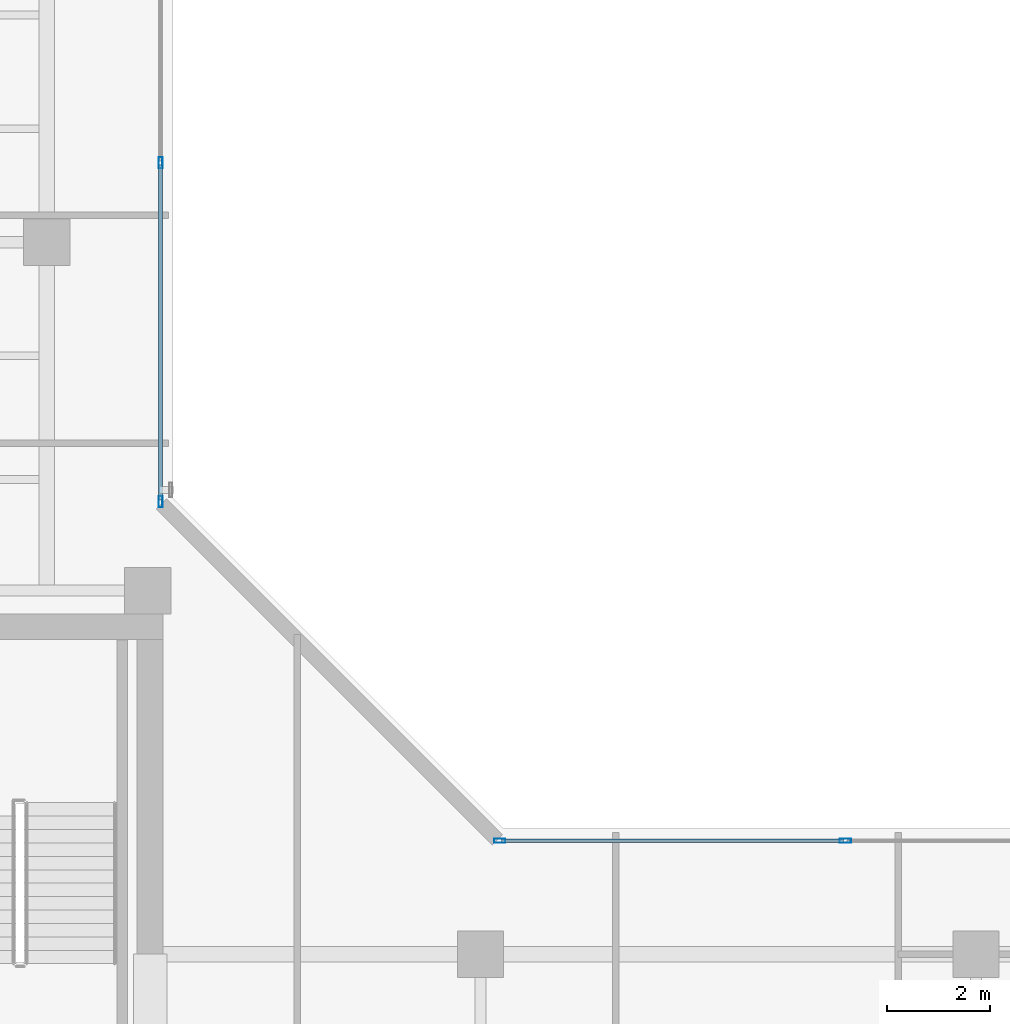
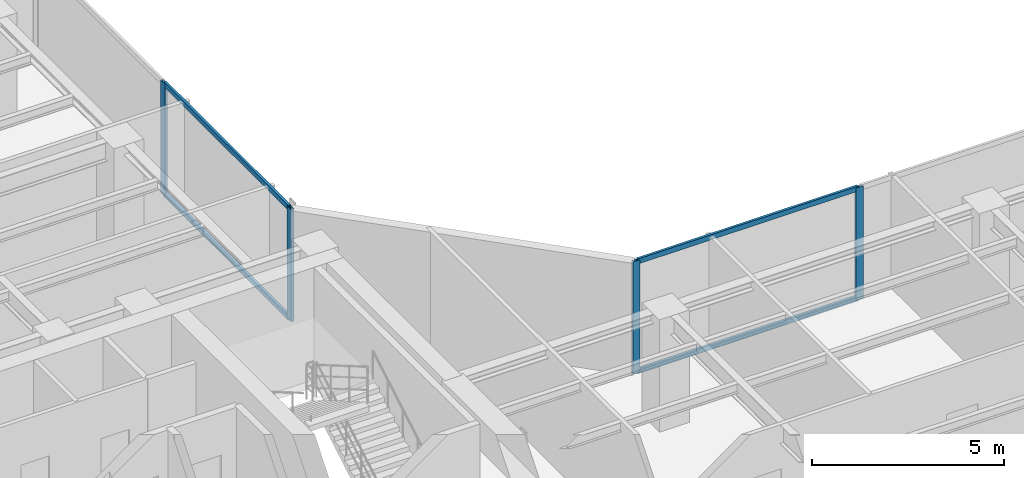
# One storey, part 9 of 23: 8 members, 2 elements without a shape of their own.
"""IFC4 building model written with IfcOpenShell, lengths in metres."""

import ifcopenshell
import ifcopenshell.guid

model = None  # the IFC model being written
_history = None  # IfcOwnerHistory: only IFC2X3 demands one
_inside = {}  # id of a spatial element -> (the spatial element, [elements in it])
_under = {}  # id of a project, library or spatial element -> (it, [spatial elements below it])
_declared = {}  # id of a project -> (the project, [libraries it declares])
_typed = {}  # id of a type object -> (the type object, [elements of that type])
_made_of = {}  # id of a material, layer set ... -> (it, [elements and type objects made of it])


def new_model(schema):
    """Start an empty IFC model of exactly this schema.

    Asked for "IFC4X3", IfcOpenShell would pick the latest addendum, in which some entities
    have other attributes; the version numbers below select the first issue.
    IFC2X3 requires an IfcOwnerHistory on every rooted entity: one is made here for all.
    """
    global model, _history
    if schema == "IFC4X3":
        model = ifcopenshell.file(schema_version=(4, 3, 0, 0))
    else:
        model = ifcopenshell.file(schema=schema)
    _inside.clear()
    _under.clear()
    _declared.clear()
    _typed.clear()
    _made_of.clear()
    _history = None
    if model.schema == "IFC2X3":
        org = make("IfcOrganization", Name="unknown")
        user = make(
            "IfcPersonAndOrganization",
            ThePerson=make("IfcPerson", FamilyName="unknown"),
            TheOrganization=org,
        )
        app = make(
            "IfcApplication",
            ApplicationDeveloper=org,
            Version="unknown",
            ApplicationFullName="unknown",
            ApplicationIdentifier="unknown",
        )
        _history = make(
            "IfcOwnerHistory",
            OwningUser=user,
            OwningApplication=app,
            ChangeAction="ADDED",
            CreationDate=0,
        )
    return model


def make(cls, **values):
    """One entity of the class cls with the attributes given. An attribute that is None is left unset."""
    return model.create_entity(
        cls, **{name: value for name, value in values.items() if value is not None}
    )


def rooted(cls, **values):
    """An entity with a GlobalId (a new one), such as an element, a storey or a relation."""
    return make(cls, GlobalId=ifcopenshell.guid.new(), OwnerHistory=_history, **values)


def si_unit(unit_type, name, prefix=None):
    """IfcSIUnit, for example si_unit("LENGTHUNIT", "METRE", prefix="MILLI")."""
    return make("IfcSIUnit", UnitType=unit_type, Prefix=prefix, Name=name)


def assignment(units):
    """IfcUnitAssignment: the units of a project."""
    return None if units is None else make("IfcUnitAssignment", Units=units)


def point(xyz):
    """IfcCartesianPoint."""
    return None if xyz is None else make("IfcCartesianPoint", Coordinates=xyz)


def direction(xyz):
    """IfcDirection."""
    return None if xyz is None else make("IfcDirection", DirectionRatios=xyz)


def frame(location, z_axis=None, x_axis=None):
    """IfcAxis2Placement3D, a coordinate frame: its origin and axes. An axis left out is left unset."""
    return make(
        "IfcAxis2Placement3D",
        Location=point(location),
        Axis=direction(z_axis),
        RefDirection=direction(x_axis),
    )


def frame_2d(location, x_axis=None):
    """IfcAxis2Placement2D, a coordinate frame in the plane: its origin and x axis."""
    return make(
        "IfcAxis2Placement2D", Location=point(location), RefDirection=direction(x_axis)
    )


def origin():
    """The frame at (0, 0, 0) with its axes left unset."""
    return frame((0.0, 0.0, 0.0))


def origin_with_axes():
    """The frame at (0, 0, 0) with the z axis (0, 0, 1) and the x axis (1, 0, 0) written out."""
    return frame((0.0, 0.0, 0.0), z_axis=(0.0, 0.0, 1.0), x_axis=(1.0, 0.0, 0.0))


def origin_2d():
    """The frame at (0, 0) in the plane with its x axis left unset."""
    return frame_2d((0.0, 0.0))


def place(relative_to, where):
    """IfcLocalPlacement: puts the frame where relative to a parent placement (None: the world)."""
    return make(
        "IfcLocalPlacement", PlacementRelTo=relative_to, RelativePlacement=where
    )


def context(
    kind, dimensions, precision=None, world=None, true_north=None, identifier=None
):
    """IfcGeometricRepresentationContext, for example the 3D "Model" context."""
    return make(
        "IfcGeometricRepresentationContext",
        ContextIdentifier=identifier,
        ContextType=kind,
        CoordinateSpaceDimension=dimensions,
        Precision=precision,
        WorldCoordinateSystem=world,
        TrueNorth=true_north,
    )


def subcontext(parent, identifier, kind, view, scale=None):
    """IfcGeometricRepresentationSubContext, for example "Body" below "Model"."""
    return make(
        "IfcGeometricRepresentationSubContext",
        ContextIdentifier=identifier,
        ContextType=kind,
        ParentContext=parent,
        TargetScale=scale,
        TargetView=view,
    )


def project(units=None, contexts=None):
    """IfcProject with its units and contexts."""
    return rooted(
        "IfcProject",
        Name="project",
        RepresentationContexts=contexts,
        UnitsInContext=assignment(units),
    )


def spatial(cls, under=None, at=None, **own):
    """A site, building, storey or space (cls), placed at a placement, below another one or the project."""
    s = rooted(cls, ObjectPlacement=at, **own)
    if under is not None:
        _under.setdefault(under.id(), (under, []))[1].append(s)
    return s


def profile(cls, at=None, kind="AREA", **sizes):
    """A parametric profile (cls). Its sizes go by their IFC names, for example OverallWidth=200.0."""
    return make(cls, ProfileType=kind, Position=at, **sizes)


def hollow_rectangle(**sizes):
    """IfcRectangleHollowProfileDef."""
    return profile("IfcRectangleHollowProfileDef", **sizes)


def extrude(swept, where, along, depth):
    """IfcExtrudedAreaSolid: the profile swept, set in the frame where, extruded along a direction by depth."""
    return make(
        "IfcExtrudedAreaSolid",
        SweptArea=swept,
        Position=where,
        ExtrudedDirection=direction(along),
        Depth=depth,
    )


def shape(context_of_items, identifier, shape_type, items):
    """IfcShapeRepresentation: the items that make up one representation, for example the "Body"."""
    return make(
        "IfcShapeRepresentation",
        ContextOfItems=context_of_items,
        RepresentationIdentifier=identifier,
        RepresentationType=shape_type,
        Items=items,
    )


def source(mapping_origin, context_of_items, identifier, shape_type, items):
    """IfcRepresentationMap: a shape defined once, which mapped items show again and again."""
    return make(
        "IfcRepresentationMap",
        MappingOrigin=mapping_origin,
        MappedRepresentation=shape(context_of_items, identifier, shape_type, items),
    )


def transform(
    local_origin,
    x_axis=None,
    y_axis=None,
    z_axis=None,
    scale=None,
    scale2=None,
    scale3=None,
    uniform=True,
):
    """IfcCartesianTransformationOperator3D, or its non-uniform kind. x_axis, y_axis, z_axis: its Axis1, 2, 3."""
    if uniform:
        return make(
            "IfcCartesianTransformationOperator3D",
            Axis1=direction(x_axis),
            Axis2=direction(y_axis),
            LocalOrigin=point(local_origin),
            Scale=scale,
            Axis3=direction(z_axis),
        )
    return make(
        "IfcCartesianTransformationOperator3DnonUniform",
        Axis1=direction(x_axis),
        Axis2=direction(y_axis),
        LocalOrigin=point(local_origin),
        Scale=scale,
        Axis3=direction(z_axis),
        Scale2=scale2,
        Scale3=scale3,
    )


def mapped(mapping_source, mapping_target):
    """IfcMappedItem: shows the shape of a source again, moved by a transform."""
    return make(
        "IfcMappedItem", MappingSource=mapping_source, MappingTarget=mapping_target
    )


def material(Name=None, Category=None):
    """IfcMaterial."""
    return make("IfcMaterial", Name=Name, Category=Category)


def layer(
    of_material, thickness, ventilated=None, Name=None, Category=None, Priority=None
):
    """IfcMaterialLayer: one layer of a wall or slab, of a material (None: an air gap)."""
    return make(
        "IfcMaterialLayer",
        Material=of_material,
        LayerThickness=thickness,
        IsVentilated=ventilated,
        Name=Name,
        Category=Category,
        Priority=Priority,
    )


def layer_set(layers, Name=None):
    """IfcMaterialLayerSet."""
    return make("IfcMaterialLayerSet", MaterialLayers=layers, LayerSetName=Name)


def material_profile(
    of_material, cross_section, Name=None, Category=None, Priority=None
):
    """IfcMaterialProfile: a cross section and its material."""
    return make(
        "IfcMaterialProfile",
        Name=Name,
        Material=of_material,
        Profile=cross_section,
        Priority=Priority,
        Category=Category,
    )


def profile_set(profiles, Name=None, composite=None):
    """IfcMaterialProfileSet."""
    return make(
        "IfcMaterialProfileSet",
        Name=Name,
        MaterialProfiles=profiles,
        CompositeProfile=composite,
    )


def made_of(thing, what):
    """Note that an element or type object is made of a material, layer set ...; save() writes the relation."""
    if what is not None:
        _made_of.setdefault(what.id(), (what, []))[1].append(thing)
    return thing


def type_object(cls, material=None, **own):
    """A type object (cls), such as IfcWallType, which elements share."""
    return made_of(rooted(cls, **own), material)


def element(
    cls,
    number,
    at=None,
    inside=None,
    cuts=None,
    type_object=None,
    material=None,
    context=None,
    identifier="Body",
    shape_type=None,
    held_by="IfcProductDefinitionShape",
    body=None,
    shapes=None,
    **own,
):
    """One element of the class cls, such as IfcWall. Its Tag is "e" and its number.

    at: its placement. inside: the storey or other place that contains it. cuts: it is an
    opening in that element (IfcRelVoidsElement). A single representation is given by context,
    identifier, shape_type and body (its items); several are given by shapes. held_by: the class
    of the entity that holds the representations. save() writes the other relations.
    """
    e = rooted(cls, Tag="e%d" % number, ObjectPlacement=at, **own)
    if body is not None:
        shapes = [shape(context, identifier, shape_type, body)]
    if shapes is not None:
        e.Representation = make(held_by, Representations=shapes)
    if inside is not None:
        _inside.setdefault(inside.id(), (inside, []))[1].append(e)
    if cuts is not None:
        rooted(
            "IfcRelVoidsElement", RelatingBuildingElement=cuts, RelatedOpeningElement=e
        )
    if type_object is not None:
        _typed.setdefault(type_object.id(), (type_object, []))[1].append(e)
    return made_of(e, material)


def aggregate(whole, parts):
    """IfcRelAggregates: a whole, such as a stair, and the parts it consists of."""
    return rooted("IfcRelAggregates", RelatingObject=whole, RelatedObjects=parts)


def save(model, path):
    """Write the relations noted so far, then the file.

    IfcRelAggregates (storeys below a building ...), IfcRelContainedInSpatialStructure (elements
    in a storey), IfcRelDefinesByType, IfcRelAssociatesMaterial and IfcRelDeclares: one each for
    every whole, place, type object, material and project.
    """
    for whole, parts in _under.values():
        aggregate(whole, parts)
    for where, things in _inside.values():
        rooted(
            "IfcRelContainedInSpatialStructure",
            RelatedElements=things,
            RelatingStructure=where,
        )
    for kind, things in _typed.values():
        rooted("IfcRelDefinesByType", RelatedObjects=things, RelatingType=kind)
    for what, things in _made_of.values():
        rooted("IfcRelAssociatesMaterial", RelatedObjects=things, RelatingMaterial=what)
    for by, libraries in _declared.values():
        rooted("IfcRelDeclares", RelatingContext=by, RelatedDefinitions=libraries)
    model.write(path)


model = new_model("IFC4")

# Units and contexts
model_context = context("Model", 3, precision=1e-05, world=origin(), true_north=direction((0.0, 1.0)))
body_context = subcontext(model_context, "Body", "Model", "MODEL_VIEW")
ifc_project = project(units=[si_unit("LENGTHUNIT", "METRE"), si_unit("AREAUNIT", "SQUARE_METRE"), si_unit("VOLUMEUNIT", "CUBIC_METRE"), si_unit("PLANEANGLEUNIT", "RADIAN"), si_unit("MASSUNIT", "GRAM", prefix="KILO")], contexts=[model_context])

# Site, building, storey
site_placement = place(None, origin())
site = spatial("IfcSite", under=ifc_project, at=site_placement, CompositionType="ELEMENT")
building_placement = place(site_placement, origin())
building = spatial("IfcBuilding", under=site, at=building_placement, Name="Kolvaren Waterfront Exchange", CompositionType="ELEMENT")
storey_placement = place(building_placement, frame((0.0, 0.0, 319.800048828125)))
storey = spatial("IfcBuildingStorey", under=building, at=storey_placement, Name="L82", CompositionType="ELEMENT", Elevation=319.800048828125)

# Curtain wall, members
ifc_material_1 = material(Name="Anodised bronze aluminium 6063-T6", Category="aluminium")
ifc_layer = layer(ifc_material_1, 0.219970703125, Name="Anodised bronze aluminium 6063-T6")
ifc_layer_set = layer_set([ifc_layer], Name="Anodised bronze aluminium 6063-T6")
curtain_wall_type = type_object("IfcCurtainWallType", Name="ARC-CW-SYS1", PredefinedType="USERDEFINED", material=ifc_layer_set)
curtain_wall_1_placement = place(storey_placement, origin())
curtain_wall_1 = element("IfcCurtainWall", 1, at=curtain_wall_1_placement, inside=storey, type_object=curtain_wall_type, Name="L82 stick curtain wall CW1 (CW-L82-NE)", ObjectType="STICK CURTAIN WALL", PredefinedType="USERDEFINED")
ifc_material_2 = material(Name="Anodised aluminium 6063-T6", Category="aluminium")
ifc_material_profile_1 = material_profile(ifc_material_2, hollow_rectangle(XDim=0.080078125, YDim=0.219970703125, WallThickness=0.0048828125, at=origin_2d()), Name="ALU-MUL-220x80x5")
ifc_profile_set_1 = profile_set([ifc_material_profile_1], Name="Anodised aluminium 6063-T6")
member_type_1 = type_object("IfcMemberType", Name="ARC-CWM-220", PredefinedType="MULLION", material=ifc_profile_set_1)
shared_shape_1 = source(origin_with_axes(), body_context, "Body", "SweptSolid", [
    extrude(hollow_rectangle(XDim=0.080078125, YDim=0.219970703125, WallThickness=0.0048828125, at=origin_2d()), origin(), (0.0, 0.0, 1.0), 3.56005859375),
])
member_1_placement = place(storey_placement, frame((21.002197265625, 26.172119140625, 0.0), z_axis=(0.0, 0.0, 1.0), x_axis=(-1.0, 0.0, 0.0)))
member_1 = element("IfcMember", 2, at=member_1_placement, type_object=member_type_1, Name="CW1 mullion 1", PredefinedType="MULLION", context=body_context, shape_type="MappedRepresentation", body=[
    mapped(shared_shape_1, transform((0.0, 0.0, 0.0), x_axis=(1.0, 0.0, 0.0), y_axis=(0.0, 1.0, 0.0), z_axis=(0.0, 0.0, 1.0), scale=1.0)),
])
member_2_placement = place(storey_placement, frame((21.002197265625, 32.7373046875, 0.0), z_axis=(0.0, 0.0, 1.0), x_axis=(-1.0, 0.0, 0.0)))
member_2 = element("IfcMember", 3, at=member_2_placement, type_object=member_type_1, Name="CW1 mullion 2", PredefinedType="MULLION", context=body_context, shape_type="MappedRepresentation", body=[
    mapped(shared_shape_1, transform((0.0, 0.0, 0.0), x_axis=(1.0, 0.0, 0.0), y_axis=(0.0, 1.0, 0.0), z_axis=(0.0, 0.0, 1.0), scale=1.0)),
])

curtain_wall_2_placement = place(storey_placement, origin())
curtain_wall_2 = element("IfcCurtainWall", 4, at=curtain_wall_2_placement, inside=storey, type_object=curtain_wall_type, Name="L82 stick curtain wall CW1 (CW-L82-EN)", ObjectType="STICK CURTAIN WALL", PredefinedType="USERDEFINED")
member_3_placement = place(storey_placement, frame((27.572021484375, 19.60205078125, 0.0), z_axis=(0.0, 0.0, 1.0), x_axis=(0.0, 1.0, 0.0)))
member_3 = element("IfcMember", 5, at=member_3_placement, type_object=member_type_1, Name="CW1 mullion 1", PredefinedType="MULLION", context=body_context, shape_type="MappedRepresentation", body=[
    mapped(shared_shape_1, transform((0.0, 0.0, 0.0), x_axis=(1.0, 0.0, 0.0), y_axis=(0.0, 1.0, 0.0), z_axis=(0.0, 0.0, 1.0), scale=1.0)),
])
member_4_placement = place(storey_placement, frame((34.2705078125, 19.60205078125, 0.0), z_axis=(0.0, 0.0, 1.0), x_axis=(0.0, 1.0, 0.0)))
member_4 = element("IfcMember", 6, at=member_4_placement, type_object=member_type_1, Name="CW1 mullion 2", PredefinedType="MULLION", context=body_context, shape_type="MappedRepresentation", body=[
    mapped(shared_shape_1, transform((0.0, 0.0, 0.0), x_axis=(1.0, 0.0, 0.0), y_axis=(0.0, 1.0, 0.0), z_axis=(0.0, 0.0, 1.0), scale=1.0)),
])

# Member
ifc_material_profile_2 = material_profile(ifc_material_2, hollow_rectangle(XDim=0.074951171875, YDim=0.159912109375, WallThickness=0.00439453125, at=origin_2d()), Name="ALU-TRN-160x75x4.5")
ifc_profile_set_2 = profile_set([ifc_material_profile_2], Name="Anodised aluminium 6063-T6")
member_type_2 = type_object("IfcMemberType", Name="ARC-CWT-160", PredefinedType="USERDEFINED", material=ifc_profile_set_2)
shared_shape_2 = source(origin_with_axes(), body_context, "Body", "SweptSolid", [
    extrude(hollow_rectangle(XDim=0.074951171875, YDim=0.159912109375, WallThickness=0.00439453125, at=origin_2d()), origin(), (0.0, 0.0, 1.0), 6.485107421875),
])
member_5_placement = place(storey_placement, frame((21.002197265625, 26.212158203125, 0.037353515625), z_axis=(0.0, 1.0, 0.0), x_axis=(-1.0, 0.0, 0.0)))
member_5 = element("IfcMember", 7, at=member_5_placement, type_object=member_type_2, Name="CW1 transom 1.1", ObjectType="TRANSOM", PredefinedType="USERDEFINED", context=body_context, shape_type="MappedRepresentation", body=[
    mapped(shared_shape_2, transform((0.0, 0.0, 0.0), x_axis=(1.0, 0.0, 0.0), y_axis=(0.0, 1.0, 0.0), z_axis=(0.0, 0.0, 1.0), scale=1.0)),
])

member_6_placement = place(storey_placement, frame((21.002197265625, 26.212158203125, 3.5224609375), z_axis=(0.0, 1.0, 0.0), x_axis=(-1.0, 0.0, 0.0)))
member_6 = element("IfcMember", 8, at=member_6_placement, type_object=member_type_2, Name="CW1 transom 1.2", ObjectType="TRANSOM", PredefinedType="USERDEFINED", context=body_context, shape_type="MappedRepresentation", body=[
    mapped(shared_shape_2, transform((0.0, 0.0, 0.0), x_axis=(1.0, 0.0, 0.0), y_axis=(0.0, 1.0, 0.0), z_axis=(0.0, 0.0, 1.0), scale=1.0)),
])

aggregate(curtain_wall_1, [member_1, member_2, member_5, member_6])

shared_shape_3 = source(origin_with_axes(), body_context, "Body", "SweptSolid", [
    extrude(hollow_rectangle(XDim=0.074951171875, YDim=0.159912109375, WallThickness=0.00439453125, at=origin_2d()), origin(), (0.0, 0.0, 1.0), 6.618408203125),
])
member_7_placement = place(storey_placement, frame((27.612060546875, 19.60205078125, 0.037353515625), z_axis=(1.0, 0.0, 0.0), x_axis=(0.0, 1.0, 0.0)))
member_7 = element("IfcMember", 9, at=member_7_placement, type_object=member_type_2, Name="CW1 transom 1.1", ObjectType="TRANSOM", PredefinedType="USERDEFINED", context=body_context, shape_type="MappedRepresentation", body=[
    mapped(shared_shape_3, transform((0.0, 0.0, 0.0), x_axis=(1.0, 0.0, 0.0), y_axis=(0.0, 1.0, 0.0), z_axis=(0.0, 0.0, 1.0), scale=1.0)),
])

member_8_placement = place(storey_placement, frame((27.612060546875, 19.60205078125, 3.5224609375), z_axis=(1.0, 0.0, 0.0), x_axis=(0.0, 1.0, 0.0)))
member_8 = element("IfcMember", 10, at=member_8_placement, type_object=member_type_2, Name="CW1 transom 1.2", ObjectType="TRANSOM", PredefinedType="USERDEFINED", context=body_context, shape_type="MappedRepresentation", body=[
    mapped(shared_shape_3, transform((0.0, 0.0, 0.0), x_axis=(1.0, 0.0, 0.0), y_axis=(0.0, 1.0, 0.0), z_axis=(0.0, 0.0, 1.0), scale=1.0)),
])

aggregate(curtain_wall_2, [member_3, member_4, member_7, member_8])

save(model, "model.ifc")
